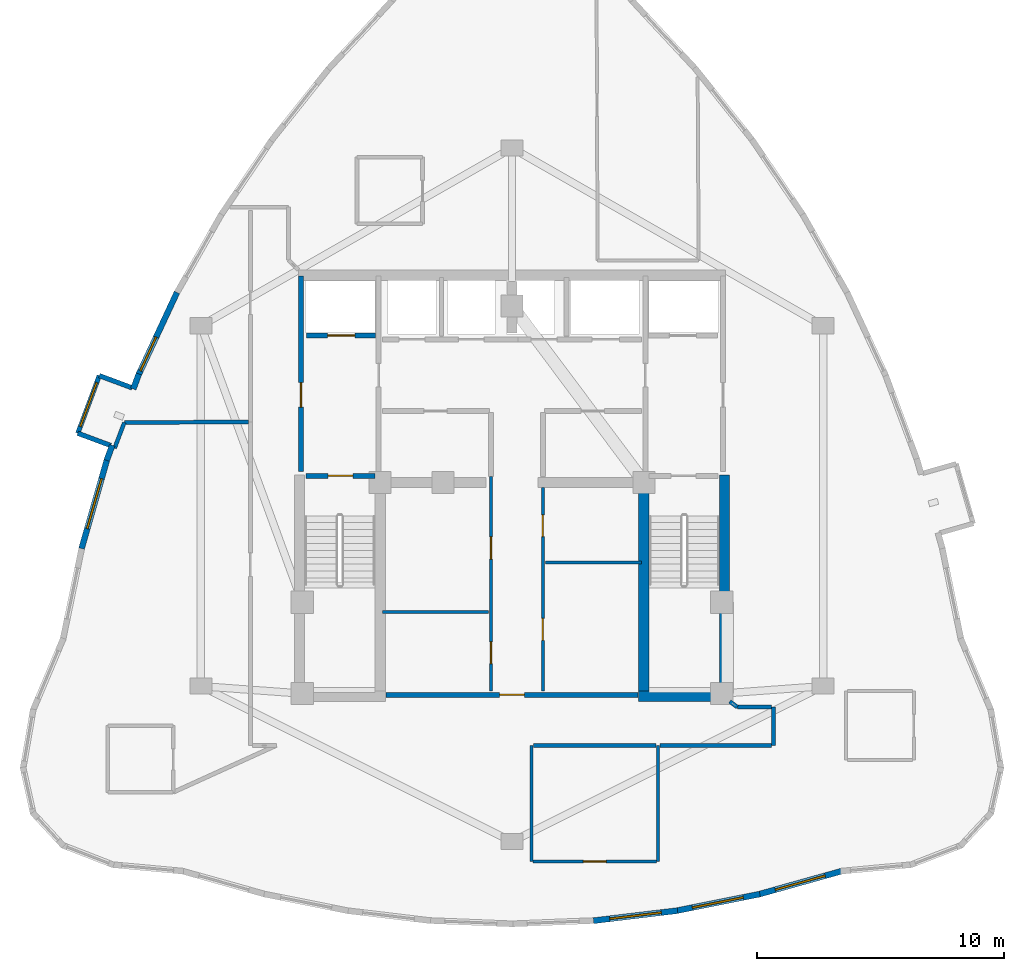
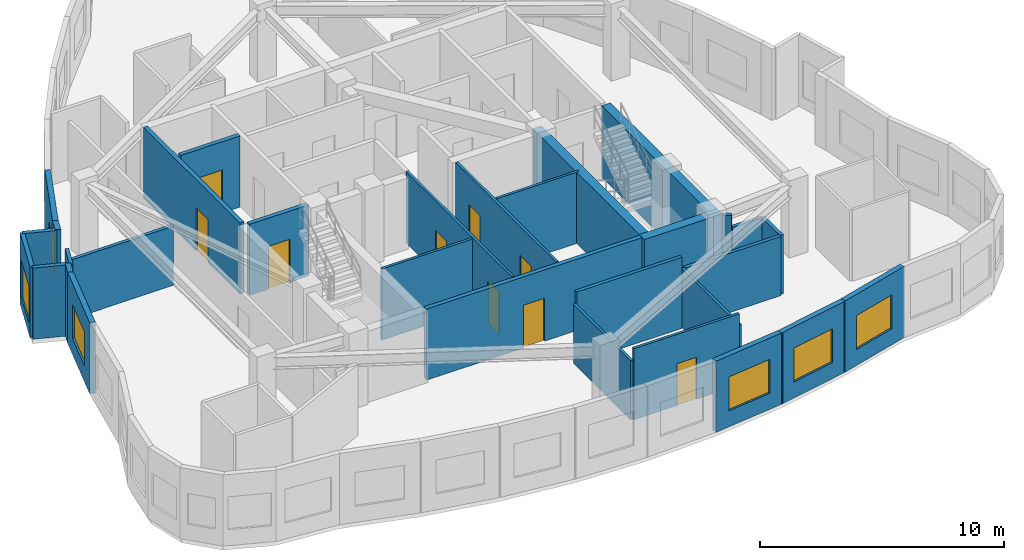
# One storey, part 5 of 9: 31 walls, 9 doors, 6 windows, 15 openings.
"""IFC4 building model written with IfcOpenShell, lengths in metres."""

from ifc_helpers import new_model, si_unit, direction, frame, frame_2d, origin, place, context, subcontext, project, spatial, rectangle, extrude, material, layer, layer_set, type_object, element, fill, save


model = new_model("IFC4")

# Units and contexts
model_context = context("Model", 3, precision=1e-05, world=origin(), true_north=direction((0.0, 1.0)))
body_context = subcontext(model_context, "Body", "Model", "MODEL_VIEW")
ifc_project = project(units=[si_unit("LENGTHUNIT", "METRE"), si_unit("AREAUNIT", "SQUARE_METRE"), si_unit("VOLUMEUNIT", "CUBIC_METRE"), si_unit("PLANEANGLEUNIT", "RADIAN"), si_unit("MASSUNIT", "GRAM", prefix="KILO")], contexts=[model_context])

# Site, building, storey
site_placement = place(None, origin())
site = spatial("IfcSite", under=ifc_project, at=site_placement, CompositionType="ELEMENT")
building_placement = place(site_placement, origin())
building = spatial("IfcBuilding", under=site, at=building_placement, Name="Miruveldt Soraemaru", CompositionType="ELEMENT")
storey_placement = place(building_placement, frame((0.0, 0.0, 263.550048828125)))
storey = spatial("IfcBuildingStorey", under=building, at=storey_placement, Name="L72", CompositionType="ELEMENT", Elevation=263.550048828125)

# Walls
ifc_material_1 = material(Name="White powder-coated aluminium EN AW-6060 T6", Category="aluminium")
ifc_layer_1 = layer(ifc_material_1, 0.18994140625, Name="White powder-coated aluminium EN AW-6060 T6", Category="aluminium")
ifc_layer_set_1 = layer_set([ifc_layer_1], Name="White powder-coated aluminium EN AW-6060 T6")
wall_type_1 = type_object("IfcWallType", Name="WALL-BAY-ALU190", PredefinedType="SOLIDWALL", material=ifc_layer_set_1)
for number, where, z_axis, x_axis, name in (
    (1, (28.61669921875, 47.8828125, 0.0), (0.0, 0.0, 1.0), (-0.937129361406, 0.348982177182, 0.0), "L72 Bay Window Side Cheek 1L"),
    (2, (26.410888671875, 46.0439453125, 0.0), (0.0, 0.0, 1.0), (0.937129361406, -0.348982177182, 0.0), "L72 Bay Window Side Cheek 1R"),
):
    element("IfcWall", number, at=place(storey_placement, frame(where, z_axis=z_axis, x_axis=x_axis)), inside=storey, type_object=wall_type_1, Name=name, PredefinedType="SOLIDWALL", context=body_context, shape_type="SweptSolid", body=[
        extrude(rectangle(XDim=1.425048828125, YDim=0.18994140625, at=frame_2d((0.71240234375, 0.0))), origin(), (0.0, 0.0, 1.0), 3.56494140625),
    ])

# Wall, opening, window
wall_1_placement = place(storey_placement, frame((27.28125, 48.380126953125, 0.0), z_axis=(0.0, 0.0, 1.0), x_axis=(-0.349115767746, -0.937079602121, 0.0)))
wall_1 = element("IfcWall", 3, at=wall_1_placement, inside=storey, type_object=wall_type_1, Name="L72 Bay Window Front Frame 1", PredefinedType="SOLIDWALL", context=body_context, shape_type="SweptSolid", body=[
    extrude(rectangle(XDim=2.4931640625, YDim=0.18994140625, at=frame_2d((1.24658203125, 0.0))), origin(), (0.0, 0.0, 1.0), 3.56494140625),
])
opening_1_placement = place(wall_1_placement, frame((0.297119140625, 0.0, 0.550048828125)))
opening_1 = element("IfcOpeningElement", 4, at=opening_1_placement, cuts=wall_1, Name="Opening WN-6", PredefinedType="OPENING", context=body_context, shape_type="SweptSolid", body=[
    extrude(rectangle(XDim=1.89990234375, YDim=1.85009765625, at=frame_2d((0.949951171875, 0.925048828125))), frame((0.0, 0.10498046875, 0.0), z_axis=(0.0, -1.0, 0.0), x_axis=(1.0, 0.0, 0.0)), (0.0, 0.0, 1.0), 0.2099609375),
])
ifc_material_2 = material(Name="Triple low-e insulated glazing", Category="glass")
window_type_1 = type_object("IfcWindowType", Name="WIN-BAYW-1900x1850", PartitioningType="SINGLE_PANEL", PredefinedType="WINDOW", material=ifc_material_2)
window_1_placement = place(opening_1_placement, origin())
window_1 = element("IfcWindow", 5, at=window_1_placement, inside=storey, type_object=window_type_1, Name="L72 Projecting Bay Window 1", OverallHeight=1.85009765625, OverallWidth=1.89990234375, PartitioningType="SINGLE_PANEL", PredefinedType="WINDOW", context=body_context, shape_type="SweptSolid", body=[
    extrude(rectangle(XDim=1.89990234375, YDim=1.85009765625, at=frame_2d((0.949951171875, 0.925048828125))), frame((0.0, 0.030029296875, 0.0), z_axis=(0.0, -1.0, 0.0), x_axis=(1.0, 0.0, 0.0)), (0.0, 0.0, 1.0), 0.06005859375),
])
fill(opening_1, window_1)

# Walls
ifc_material_3 = material(Name="Concrete C50/60 (50 MPa)", Category="concrete")
ifc_layer_2 = layer(ifc_material_3, 0.419921875, Name="Concrete C50/60 (50 MPa)", Category="concrete")
ifc_layer_set_2 = layer_set([ifc_layer_2], Name="Concrete C50/60 (50 MPa)")
wall_type_2 = type_object("IfcWallType", Name="WALL-CW-420", PredefinedType="SHEAR", material=ifc_layer_set_2)
wall_2_placement = place(storey_placement, frame((49.1298828125, 35.389892578125, 0.0), z_axis=(0.0, 0.0, 1.0), x_axis=(1.0, 0.0, 0.0)))
element("IfcWall", 6, at=wall_2_placement, inside=storey, type_object=wall_type_2, Name="L72 Central Core Shear Wall S2", PredefinedType="SHEAR", context=body_context, shape_type="SweptSolid", body=[
    extrude(rectangle(XDim=3.690185546875, YDim=0.419921875, at=frame_2d((1.84521484375, 0.0))), origin(), (0.0, 0.0, 1.0), 3.56494140625),
])
wall_3_placement = place(storey_placement, frame((52.610107421875, 35.179931640625, 0.0), z_axis=(0.0, 0.0, 1.0), x_axis=(0.0, 1.0, 0.0)))
element("IfcWall", 7, at=wall_3_placement, inside=storey, type_object=wall_type_2, Name="L72 Central Core Shear Wall E1", PredefinedType="SHEAR", context=body_context, shape_type="SweptSolid", body=[
    extrude(rectangle(XDim=9.170166015625, YDim=0.419921875, at=frame_2d((4.5849609375, 0.0))), origin(), (0.0, 0.0, 1.0), 3.56494140625),
])
wall_4_placement = place(storey_placement, frame((49.340087890625, 35.39990234375, 0.0), z_axis=(0.0, 0.0, 1.0), x_axis=(0.0, 1.0, 0.0)))
element("IfcWall", 8, at=wall_4_placement, inside=storey, type_object=wall_type_2, Name="L72 Central Core Shear Wall SE-INT", PredefinedType="SHEAR", context=body_context, shape_type="SweptSolid", body=[
    extrude(rectangle(XDim=8.9501953125, YDim=0.419921875, at=frame_2d((4.47509765625, 0.0))), origin(), (0.0, 0.0, 1.0), 3.56494140625),
])

# Wall, opening, window
ifc_material_4 = material(Name="Precast concrete C45/55 (45 MPa)", Category="concrete")
ifc_layer_3 = layer(ifc_material_4, 0.239990234375, Name="Precast concrete C45/55 (45 MPa)", Category="concrete")
ifc_layer_set_3 = layer_set([ifc_layer_3], Name="Precast concrete C45/55 (45 MPa)")
wall_type_3 = type_object("IfcWallType", Name="WALL-EXT-PC240", PredefinedType="SOLIDWALL", material=ifc_layer_set_3)
wall_5_placement = place(storey_placement, frame((30.426025390625, 51.7470703125, 0.0), z_axis=(0.0, 0.0, 1.0), x_axis=(-0.422345429955, -0.906434960599, 0.0)))
wall_5 = element("IfcWall", 9, at=wall_5_placement, inside=storey, type_object=wall_type_3, Name="L72 Precast Concrete Facade Wall 11", PredefinedType="SOLIDWALL", context=body_context, shape_type="SweptSolid", body=[
    extrude(rectangle(XDim=3.712890625, YDim=0.239990234375, at=frame_2d((1.8564453125, 0.0))), origin(), (0.0, 0.0, 1.0), 3.56494140625),
])
opening_2_placement = place(wall_5_placement, frame((1.9970703125, 0.0, 0.800048828125)))
opening_2 = element("IfcOpeningElement", 10, at=opening_2_placement, cuts=wall_5, Name="Opening WN-3", PredefinedType="OPENING", context=body_context, shape_type="SweptSolid", body=[
    extrude(rectangle(XDim=1.5, YDim=1.60009765625, at=frame_2d((0.75, 0.800048828125))), frame((0.0, 0.1298828125, 0.0), z_axis=(0.0, -1.0, 0.0), x_axis=(1.0, 0.0, 0.0)), (0.0, 0.0, 1.0), 0.260009765625),
])
window_type_2 = type_object("IfcWindowType", Name="WIN-PUNCH-1500x1600", PartitioningType="SINGLE_PANEL", PredefinedType="WINDOW", material=ifc_material_2)
window_2_placement = place(opening_2_placement, origin())
window_2 = element("IfcWindow", 11, at=window_2_placement, inside=storey, type_object=window_type_2, Name="L72 Punched Triple-Glazed Window 11.1", OverallHeight=1.60009765625, OverallWidth=1.5, PartitioningType="SINGLE_PANEL", PredefinedType="WINDOW", context=body_context, shape_type="SweptSolid", body=[
    extrude(rectangle(XDim=1.5, YDim=1.60009765625, at=frame_2d((0.75, 0.800048828125))), frame((0.0, 0.030029296875, 0.0), z_axis=(0.0, -1.0, 0.0), x_axis=(1.0, 0.0, 0.0)), (0.0, 0.0, 1.0), 0.06005859375),
])
fill(opening_2, window_2)

# Walls
for number, where, z_axis, x_axis, name in (
    (12, (28.885009765625, 48.446044921875, 0.0), (0.0, 0.0, 1.0), (-0.348863836898, -0.937173422214, 0.0), "L72 Precast Pier Wall 12A"),
    (13, (27.808349609375, 45.555419921875, 0.0), (0.0, 0.0, 1.0), (-0.348863836898, -0.937173422214, 0.0), "L72 Precast Pier Wall 12B"),
):
    element("IfcWall", number, at=place(storey_placement, frame(where, z_axis=z_axis, x_axis=x_axis)), inside=storey, type_object=wall_type_3, Name=name, PredefinedType="SOLIDWALL", context=body_context, shape_type="SweptSolid", body=[
        extrude(rectangle(XDim=0.651611328125, YDim=0.239990234375, at=frame_2d((0.32568359375, 0.0))), origin(), (0.0, 0.0, 1.0), 3.56494140625),
    ])

# Wall, opening, window
wall_6_placement = place(storey_placement, frame((27.602783203125, 45.011474609375, 0.0), z_axis=(0.0, 0.0, 1.0), x_axis=(-0.274917207147, -0.961467903372, 0.0)))
wall_6 = element("IfcWall", 14, at=wall_6_placement, inside=storey, type_object=wall_type_3, Name="L72 Precast Concrete Facade Wall 13", PredefinedType="SOLIDWALL", context=body_context, shape_type="SweptSolid", body=[
    extrude(rectangle(XDim=3.7822265625, YDim=0.239990234375, at=frame_2d((1.89111328125, 0.0))), origin(), (0.0, 0.0, 1.0), 3.56494140625),
])
opening_3_placement = place(wall_6_placement, frame((0.841064453125, 0.0, 0.800048828125)))
opening_3 = element("IfcOpeningElement", 15, at=opening_3_placement, cuts=wall_6, Name="Opening WN-1", PredefinedType="OPENING", context=body_context, shape_type="SweptSolid", body=[
    extrude(rectangle(XDim=2.10009765625, YDim=1.699951171875, at=frame_2d((1.050048828125, 0.85009765625))), frame((0.0, 0.1298828125, 0.0), z_axis=(0.0, -1.0, 0.0), x_axis=(1.0, 0.0, 0.0)), (0.0, 0.0, 1.0), 0.260009765625),
])
window_type_3 = type_object("IfcWindowType", Name="WIN-PUNCH-2100x1700", PartitioningType="SINGLE_PANEL", PredefinedType="WINDOW", material=ifc_material_2)
window_3_placement = place(opening_3_placement, origin())
window_3 = element("IfcWindow", 16, at=window_3_placement, inside=storey, type_object=window_type_3, Name="L72 Punched Triple-Glazed Window 13.1", OverallHeight=1.699951171875, OverallWidth=2.10009765625, PartitioningType="SINGLE_PANEL", PredefinedType="WINDOW", context=body_context, shape_type="SweptSolid", body=[
    extrude(rectangle(XDim=2.10009765625, YDim=1.699951171875, at=frame_2d((1.050048828125, 0.85009765625))), frame((0.0, 0.030029296875, 0.0), z_axis=(0.0, -1.0, 0.0), x_axis=(1.0, 0.0, 0.0)), (0.0, 0.0, 1.0), 0.06005859375),
])
fill(opening_3, window_3)

wall_7_placement = place(storey_placement, frame((47.30078125, 26.29833984375, 0.0), z_axis=(0.0, 0.0, 1.0), x_axis=(0.992874817346, 0.119162062248, 0.0)))
wall_7 = element("IfcWall", 17, at=wall_7_placement, inside=storey, type_object=wall_type_3, Name="L72 Precast Concrete Facade Wall 26", PredefinedType="SOLIDWALL", context=body_context, shape_type="SweptSolid", body=[
    extrude(rectangle(XDim=3.4296875, YDim=0.239990234375, at=frame_2d((1.71484375, 0.0))), origin(), (0.0, 0.0, 1.0), 3.56494140625),
])
opening_4_placement = place(wall_7_placement, frame((0.6650390625, 0.0, 0.800048828125)))
opening_4 = element("IfcOpeningElement", 18, at=opening_4_placement, cuts=wall_7, Name="Opening WN-1", PredefinedType="OPENING", context=body_context, shape_type="SweptSolid", body=[
    extrude(rectangle(XDim=2.10009765625, YDim=1.699951171875, at=frame_2d((1.050048828125, 0.85009765625))), frame((0.0, 0.1298828125, 0.0), z_axis=(0.0, -1.0, 0.0), x_axis=(1.0, 0.0, 0.0)), (0.0, 0.0, 1.0), 0.260009765625),
])
window_4_placement = place(opening_4_placement, origin())
window_4 = element("IfcWindow", 19, at=window_4_placement, inside=storey, type_object=window_type_3, Name="L72 Punched Triple-Glazed Window 26.1", OverallHeight=1.699951171875, OverallWidth=2.10009765625, PartitioningType="SINGLE_PANEL", PredefinedType="WINDOW", context=body_context, shape_type="SweptSolid", body=[
    extrude(rectangle(XDim=2.10009765625, YDim=1.699951171875, at=frame_2d((1.050048828125, 0.85009765625))), frame((0.0, 0.030029296875, 0.0), z_axis=(0.0, -1.0, 0.0), x_axis=(1.0, 0.0, 0.0)), (0.0, 0.0, 1.0), 0.06005859375),
])
fill(opening_4, window_4)

wall_8_placement = place(storey_placement, frame((50.636962890625, 26.696044921875, 0.0), z_axis=(0.0, 0.0, 1.0), x_axis=(0.980577970883, 0.196129658691, 0.0)))
wall_8 = element("IfcWall", 20, at=wall_8_placement, inside=storey, type_object=wall_type_3, Name="L72 Precast Concrete Facade Wall 27", PredefinedType="SOLIDWALL", context=body_context, shape_type="SweptSolid", body=[
    extrude(rectangle(XDim=3.4716796875, YDim=0.239990234375, at=frame_2d((1.73583984375, 0.0))), origin(), (0.0, 0.0, 1.0), 3.56494140625),
])
opening_5_placement = place(wall_8_placement, frame((0.68603515625, 0.0, 0.800048828125)))
opening_5 = element("IfcOpeningElement", 21, at=opening_5_placement, cuts=wall_8, Name="Opening WN-1", PredefinedType="OPENING", context=body_context, shape_type="SweptSolid", body=[
    extrude(rectangle(XDim=2.10009765625, YDim=1.699951171875, at=frame_2d((1.050048828125, 0.85009765625))), frame((0.0, 0.1298828125, 0.0), z_axis=(0.0, -1.0, 0.0), x_axis=(1.0, 0.0, 0.0)), (0.0, 0.0, 1.0), 0.260009765625),
])
window_5_placement = place(opening_5_placement, origin())
window_5 = element("IfcWindow", 22, at=window_5_placement, inside=storey, type_object=window_type_3, Name="L72 Punched Triple-Glazed Window 27.1", OverallHeight=1.699951171875, OverallWidth=2.10009765625, PartitioningType="SINGLE_PANEL", PredefinedType="WINDOW", context=body_context, shape_type="SweptSolid", body=[
    extrude(rectangle(XDim=2.10009765625, YDim=1.699951171875, at=frame_2d((1.050048828125, 0.85009765625))), frame((0.0, 0.030029296875, 0.0), z_axis=(0.0, -1.0, 0.0), x_axis=(1.0, 0.0, 0.0)), (0.0, 0.0, 1.0), 0.06005859375),
])
fill(opening_5, window_5)

wall_9_placement = place(storey_placement, frame((53.973388671875, 27.360595703125, 0.0), z_axis=(0.0, 0.0, 1.0), x_axis=(0.962957561597, 0.26965298916, 0.0)))
wall_9 = element("IfcWall", 23, at=wall_9_placement, inside=storey, type_object=wall_type_3, Name="L72 Precast Concrete Facade Wall 28", PredefinedType="SOLIDWALL", context=body_context, shape_type="SweptSolid", body=[
    extrude(rectangle(XDim=3.53369140625, YDim=0.239990234375, at=frame_2d((1.766845703125, 0.0))), origin(), (0.0, 0.0, 1.0), 3.56494140625),
])
opening_6_placement = place(wall_9_placement, frame((0.717041015625, 0.0, 0.800048828125)))
opening_6 = element("IfcOpeningElement", 24, at=opening_6_placement, cuts=wall_9, Name="Opening WN-1", PredefinedType="OPENING", context=body_context, shape_type="SweptSolid", body=[
    extrude(rectangle(XDim=2.10009765625, YDim=1.699951171875, at=frame_2d((1.050048828125, 0.85009765625))), frame((0.0, 0.1298828125, 0.0), z_axis=(0.0, -1.0, 0.0), x_axis=(1.0, 0.0, 0.0)), (0.0, 0.0, 1.0), 0.260009765625),
])
window_6_placement = place(opening_6_placement, origin())
window_6 = element("IfcWindow", 25, at=window_6_placement, inside=storey, type_object=window_type_3, Name="L72 Punched Triple-Glazed Window 28.1", OverallHeight=1.699951171875, OverallWidth=2.10009765625, PartitioningType="SINGLE_PANEL", PredefinedType="WINDOW", context=body_context, shape_type="SweptSolid", body=[
    extrude(rectangle(XDim=2.10009765625, YDim=1.699951171875, at=frame_2d((1.050048828125, 0.85009765625))), frame((0.0, 0.030029296875, 0.0), z_axis=(0.0, -1.0, 0.0), x_axis=(1.0, 0.0, 0.0)), (0.0, 0.0, 1.0), 0.06005859375),
])
fill(opening_6, window_6)

# Wall, openings, doors
ifc_material_5 = material(Name="Gypsum plasterboard lining", Category="gypsum")
ifc_layer_4 = layer(ifc_material_5, 0.1201171875, Name="Gypsum plasterboard lining", Category="gypsum")
ifc_layer_set_4 = layer_set([ifc_layer_4], Name="Gypsum plasterboard lining")
wall_type_4 = type_object("IfcWallType", Name="WALL-INT-P120", PredefinedType="PARTITIONING", material=ifc_layer_set_4)
wall_10_placement = place(storey_placement, frame((43.14990234375, 35.60009765625, 0.0), z_axis=(0.0, 0.0, 1.0), x_axis=(0.0, 1.0, 0.0)))
wall_10 = element("IfcWall", 26, at=wall_10_placement, inside=storey, type_object=wall_type_4, Name="L72 Core Compartment Wall SP-WL", PredefinedType="PARTITIONING", context=body_context, shape_type="SweptSolid", body=[
    extrude(rectangle(XDim=8.699951171875, YDim=0.1201171875, at=frame_2d((4.35009765625, 0.0))), origin(), (0.0, 0.0, 1.0), 3.56494140625),
])
opening_7_placement = place(wall_10_placement, frame((1.110107421875, 0.0, 0.0)))
opening_7 = element("IfcOpeningElement", 27, at=opening_7_placement, cuts=wall_10, Name="Opening D4", PredefinedType="OPENING", context=body_context, shape_type="SweptSolid", body=[
    extrude(rectangle(XDim=0.8798828125, YDim=2.10009765625, at=frame_2d((0.43994140625, 1.050048828125))), frame((0.0, 0.070068359375, 0.0), z_axis=(0.0, -1.0, 0.0), x_axis=(1.0, 0.0, 0.0)), (0.0, 0.0, 1.0), 0.14013671875),
])
opening_8_placement = place(wall_10_placement, frame((5.35009765625, 0.0, 0.0)))
opening_8 = element("IfcOpeningElement", 28, at=opening_8_placement, cuts=wall_10, Name="Opening D3", PredefinedType="OPENING", context=body_context, shape_type="SweptSolid", body=[
    extrude(rectangle(XDim=0.89990234375, YDim=2.10009765625, at=frame_2d((0.449951171875, 1.050048828125))), frame((0.0, 0.070068359375, 0.0), z_axis=(0.0, -1.0, 0.0), x_axis=(1.0, 0.0, 0.0)), (0.0, 0.0, 1.0), 0.14013671875),
])
ifc_material_6 = material(Name="Anodised aluminium EN AW-6063 T6", Category="aluminium")
door_type_1 = type_object("IfcDoorType", Name="DOOR-INT-880", OperationType="NOTDEFINED", PredefinedType="DOOR", material=ifc_material_6)
door_1_placement = place(opening_7_placement, origin())
door_1 = element("IfcDoor", 29, at=door_1_placement, inside=storey, type_object=door_type_1, Name="L72 Fire Door", OperationType="SINGLE_SWING_LEFT", OverallHeight=2.10009765625, OverallWidth=0.8798828125, PredefinedType="DOOR", context=body_context, shape_type="SweptSolid", body=[
    extrude(rectangle(XDim=0.8798828125, YDim=2.10009765625, at=frame_2d((0.43994140625, 1.050048828125))), frame((0.0, 0.02490234375, 0.0), z_axis=(0.0, -1.0, 0.0), x_axis=(1.0, 0.0, 0.0)), (0.0, 0.0, 1.0), 0.050048828125),
])
fill(opening_7, door_1)
door_type_2 = type_object("IfcDoorType", Name="DOOR-INT-900", OperationType="NOTDEFINED", PredefinedType="DOOR", material=ifc_material_6)
door_2_placement = place(opening_8_placement, origin())
door_2 = element("IfcDoor", 30, at=door_2_placement, inside=storey, type_object=door_type_2, Name="L72 Fire Door", OperationType="SINGLE_SWING_LEFT", OverallHeight=2.10009765625, OverallWidth=0.89990234375, PredefinedType="DOOR", context=body_context, shape_type="SweptSolid", body=[
    extrude(rectangle(XDim=0.89990234375, YDim=2.10009765625, at=frame_2d((0.449951171875, 1.050048828125))), frame((0.0, 0.02490234375, 0.0), z_axis=(0.0, -1.0, 0.0), x_axis=(1.0, 0.0, 0.0)), (0.0, 0.0, 1.0), 0.050048828125),
])
fill(opening_8, door_2)

wall_11_placement = place(storey_placement, frame((45.25, 35.60009765625, 0.0), z_axis=(0.0, 0.0, 1.0), x_axis=(0.0, 1.0, 0.0)))
wall_11 = element("IfcWall", 31, at=wall_11_placement, inside=storey, type_object=wall_type_4, Name="L72 Core Compartment Wall SP-EL", PredefinedType="PARTITIONING", context=body_context, shape_type="SweptSolid", body=[
    extrude(rectangle(XDim=8.25, YDim=0.1201171875, at=frame_2d((4.125, 0.0))), origin(), (0.0, 0.0, 1.0), 3.56494140625),
])
opening_9_placement = place(wall_11_placement, frame((2.050048828125, 0.0, 0.0)))
opening_9 = element("IfcOpeningElement", 32, at=opening_9_placement, cuts=wall_11, Name="Opening D3", PredefinedType="OPENING", context=body_context, shape_type="SweptSolid", body=[
    extrude(rectangle(XDim=0.89990234375, YDim=2.10009765625, at=frame_2d((0.449951171875, 1.050048828125))), frame((0.0, 0.070068359375, 0.0), z_axis=(0.0, -1.0, 0.0), x_axis=(1.0, 0.0, 0.0)), (0.0, 0.0, 1.0), 0.14013671875),
])
opening_10_placement = place(wall_11_placement, frame((6.260009765625, 0.0, 0.0)))
opening_10 = element("IfcOpeningElement", 33, at=opening_10_placement, cuts=wall_11, Name="Opening D4", PredefinedType="OPENING", context=body_context, shape_type="SweptSolid", body=[
    extrude(rectangle(XDim=0.8798828125, YDim=2.10009765625, at=frame_2d((0.43994140625, 1.050048828125))), frame((0.0, 0.070068359375, 0.0), z_axis=(0.0, -1.0, 0.0), x_axis=(1.0, 0.0, 0.0)), (0.0, 0.0, 1.0), 0.14013671875),
])
door_3_placement = place(opening_10_placement, origin())
door_3 = element("IfcDoor", 34, at=door_3_placement, inside=storey, type_object=door_type_1, Name="L72 Fire Door", OperationType="SINGLE_SWING_LEFT", OverallHeight=2.10009765625, OverallWidth=0.8798828125, PredefinedType="DOOR", context=body_context, shape_type="SweptSolid", body=[
    extrude(rectangle(XDim=0.8798828125, YDim=2.10009765625, at=frame_2d((0.43994140625, 1.050048828125))), frame((0.0, 0.02490234375, 0.0), z_axis=(0.0, -1.0, 0.0), x_axis=(1.0, 0.0, 0.0)), (0.0, 0.0, 1.0), 0.050048828125),
])
fill(opening_10, door_3)
door_4_placement = place(opening_9_placement, origin())
door_4 = element("IfcDoor", 35, at=door_4_placement, inside=storey, type_object=door_type_2, Name="L72 Fire Door", OperationType="SINGLE_SWING_LEFT", OverallHeight=2.10009765625, OverallWidth=0.89990234375, PredefinedType="DOOR", context=body_context, shape_type="SweptSolid", body=[
    extrude(rectangle(XDim=0.89990234375, YDim=2.10009765625, at=frame_2d((0.449951171875, 1.050048828125))), frame((0.0, 0.02490234375, 0.0), z_axis=(0.0, -1.0, 0.0), x_axis=(1.0, 0.0, 0.0)), (0.0, 0.0, 1.0), 0.050048828125),
])
fill(opening_9, door_4)

# Wall, opening, door
wall_12_placement = place(storey_placement, frame((49.85693359375, 28.698974609375, 0.0), z_axis=(0.0, 0.0, 1.0), x_axis=(-1.0, 0.0, 0.0)))
wall_12 = element("IfcWall", 36, at=wall_12_placement, inside=storey, type_object=wall_type_4, Name="L72 Partition Wall 26", PredefinedType="PARTITIONING", context=body_context, shape_type="SweptSolid", body=[
    extrude(rectangle(XDim=5.0078125, YDim=0.1201171875, at=frame_2d((2.50390625, 0.0))), origin(), (0.0, 0.0, 1.0), 3.56494140625),
])
opening_11_placement = place(wall_12_placement, frame((2.0439453125, 0.0, 0.0)))
opening_11 = element("IfcOpeningElement", 37, at=opening_11_placement, cuts=wall_12, Name="Opening D3A", PredefinedType="OPENING", context=body_context, shape_type="SweptSolid", body=[
    extrude(rectangle(XDim=0.919921875, YDim=2.10009765625, at=frame_2d((0.4599609375, 1.050048828125))), frame((0.0, 0.070068359375, 0.0), z_axis=(0.0, -1.0, 0.0), x_axis=(1.0, 0.0, 0.0)), (0.0, 0.0, 1.0), 0.14013671875),
])
door_type_3 = type_object("IfcDoorType", Name="DOOR-INT-920", OperationType="NOTDEFINED", PredefinedType="DOOR", material=ifc_material_6)
door_5_placement = place(opening_11_placement, origin())
door_5 = element("IfcDoor", 38, at=door_5_placement, inside=storey, type_object=door_type_3, Name="L72 Unit CL02 EXT Door", OperationType="SINGLE_SWING_LEFT", OverallHeight=2.10009765625, OverallWidth=0.919921875, PredefinedType="DOOR", context=body_context, shape_type="SweptSolid", body=[
    extrude(rectangle(XDim=0.919921875, YDim=2.10009765625, at=frame_2d((0.4599609375, 1.050048828125))), frame((0.0, 0.02490234375, 0.0), z_axis=(0.0, -1.0, 0.0), x_axis=(1.0, 0.0, 0.0)), (0.0, 0.0, 1.0), 0.050048828125),
])
fill(opening_11, door_5)

# Walls
for number, where, z_axis, x_axis, name in (
    (39, (49.9169921875, 33.39990234375, 0.0), (0.0, 0.0, 1.0), (0.0, -1.0, 0.0), "L72 Partition Wall 25"),
    (40, (44.7890625, 28.698974609375, 0.0), (0.0, 0.0, 1.0), (0.0, 1.0, 0.0), "L72 Partition Wall 29"),
):
    element("IfcWall", number, at=place(storey_placement, frame(where, z_axis=z_axis, x_axis=x_axis)), inside=storey, type_object=wall_type_4, Name=name, PredefinedType="PARTITIONING", context=body_context, shape_type="SweptSolid", body=[
        extrude(rectangle(XDim=4.700927734375, YDim=0.1201171875, at=frame_2d((2.3505859375, 0.0))), origin(), (0.0, 0.0, 1.0), 2.96484375),
    ])
wall_13_placement = place(storey_placement, frame((38.75, 38.800048828125, 0.0), z_axis=(0.0, 0.0, 1.0), x_axis=(1.0, 0.0, 0.0)))
element("IfcWall", 41, at=wall_13_placement, inside=storey, type_object=wall_type_4, Name="L72 Core Compartment Wall RL-W2H", PredefinedType="PARTITIONING", context=body_context, shape_type="SweptSolid", body=[
    extrude(rectangle(XDim=4.300048828125, YDim=0.1201171875, at=frame_2d((2.14990234375, 0.0))), origin(), (0.0, 0.0, 1.0), 3.56494140625),
])
wall_14_placement = place(storey_placement, frame((45.35009765625, 40.800048828125, 0.0), z_axis=(0.0, 0.0, 1.0), x_axis=(1.0, 0.0, 0.0)))
element("IfcWall", 42, at=wall_14_placement, inside=storey, type_object=wall_type_4, Name="L72 Core Compartment Wall RL-E2H", PredefinedType="PARTITIONING", context=body_context, shape_type="SweptSolid", body=[
    extrude(rectangle(XDim=3.89990234375, YDim=0.1201171875, at=frame_2d((1.949951171875, 0.0))), origin(), (0.0, 0.0, 1.0), 3.56494140625),
])
ifc_material_7 = material(Name="Concrete C40/50 (40 MPa)", Category="concrete")
ifc_layer_5 = layer(ifc_material_7, 0.159912109375, Name="Concrete C40/50 (40 MPa)", Category="concrete")
ifc_layer_set_5 = layer_set([ifc_layer_5], Name="Concrete C40/50 (40 MPa)")
wall_type_5 = type_object("IfcWallType", Name="WALL-INT-RC160", PredefinedType="SOLIDWALL", material=ifc_layer_set_5)
wall_15_placement = place(storey_placement, frame((28.297119140625, 46.48095703125, 0.0), z_axis=(0.0, 0.0, 1.0), x_axis=(0.999992813506, 0.003791165522, 0.0)))
element("IfcWall", 43, at=wall_15_placement, inside=storey, type_object=wall_type_5, Name="L72 Partition Wall 16", PredefinedType="SOLIDWALL", context=body_context, shape_type="SweptSolid", body=[
    extrude(rectangle(XDim=5.02294921875, YDim=0.159912109375, at=frame_2d((2.511474609375, 0.0))), origin(), (0.0, 0.0, 1.0), 2.96484375),
])
wall_16_placement = place(storey_placement, frame((44.868896484375, 33.39990234375, 0.0), z_axis=(0.0, 0.0, 1.0), x_axis=(1.0, 0.0, 0.0)))
element("IfcWall", 44, at=wall_16_placement, inside=storey, type_object=wall_type_5, Name="L72 Partition Wall 10", PredefinedType="SOLIDWALL", context=body_context, shape_type="SweptSolid", body=[
    extrude(rectangle(XDim=4.968017578125, YDim=0.159912109375, at=frame_2d((2.48388671875, 0.0))), origin(), (0.0, 0.0, 1.0), 3.56494140625),
])
wall_17_placement = place(storey_placement, frame((49.9970703125, 33.39990234375, 0.0), z_axis=(0.0, 0.0, 1.0), x_axis=(1.0, 0.0, 0.0)))
element("IfcWall", 45, at=wall_17_placement, inside=storey, type_object=wall_type_5, Name="L72 Partition Wall 7", PredefinedType="SOLIDWALL", context=body_context, shape_type="SweptSolid", body=[
    extrude(rectangle(XDim=4.52294921875, YDim=0.159912109375, at=frame_2d((2.261474609375, 0.0))), origin(), (0.0, 0.0, 1.0), 2.96484375),
])
wall_18_placement = place(storey_placement, frame((54.60009765625, 33.39990234375, 0.0), z_axis=(0.0, 0.0, 1.0), x_axis=(0.0, 1.0, 0.0)))
element("IfcWall", 46, at=wall_18_placement, inside=storey, type_object=wall_type_5, Name="L72 Partition Wall 8", PredefinedType="SOLIDWALL", context=body_context, shape_type="SweptSolid", body=[
    extrude(rectangle(XDim=1.550048828125, YDim=0.159912109375, at=frame_2d((0.77490234375, 0.0))), origin(), (0.0, 0.0, 1.0), 2.96484375),
])
wall_19_placement = place(storey_placement, frame((54.52001953125, 34.949951171875, 0.0), z_axis=(0.0, 0.0, 1.0), x_axis=(-1.0, 0.0, 0.0)))
element("IfcWall", 47, at=wall_19_placement, inside=storey, type_object=wall_type_5, Name="L72 Partition Wall 9", PredefinedType="SOLIDWALL", context=body_context, shape_type="SweptSolid", body=[
    extrude(rectangle(XDim=1.39013671875, YDim=0.159912109375, at=frame_2d((0.695068359375, 0.0))), origin(), (0.0, 0.0, 1.0), 2.96484375),
])
wall_20_placement = place(storey_placement, frame((28.297119140625, 46.48095703125, 0.0), z_axis=(0.0, 0.0, 1.0), x_axis=(-0.354878058767, -0.934912596666, 0.0)))
element("IfcWall", 48, at=wall_20_placement, inside=storey, type_object=wall_type_5, Name="L72 Partition Closure Return 4", PredefinedType="SOLIDWALL", context=body_context, shape_type="SweptSolid", body=[
    extrude(rectangle(XDim=1.117919921875, YDim=0.159912109375, at=frame_2d((0.55908203125, 0.0))), origin(), (0.0, 0.0, 1.0), 3.56494140625),
])
wall_21_placement = place(storey_placement, frame((53.1298828125, 34.949951171875, 0.0), z_axis=(0.0, 0.0, 1.0), x_axis=(-0.802951496235, 0.596044373092, 0.0)))
element("IfcWall", 49, at=wall_21_placement, inside=storey, type_object=wall_type_5, Name="L72 Partition Closure Return 3", PredefinedType="SOLIDWALL", context=body_context, shape_type="SweptSolid", body=[
    extrude(rectangle(XDim=0.3857421875, YDim=0.159912109375, at=frame_2d((0.19287109375, 0.0))), origin(), (0.0, 0.0, 1.0), 3.56494140625),
])

# Wall, opening, door
ifc_layer_6 = layer(ifc_material_7, 0.199951171875, Name="Concrete C40/50 (40 MPa)", Category="concrete")
ifc_layer_set_6 = layer_set([ifc_layer_6], Name="Concrete C40/50 (40 MPa)")
wall_type_6 = type_object("IfcWallType", Name="WALL-INT-RC200", PredefinedType="SOLIDWALL", material=ifc_layer_set_6)
wall_22_placement = place(storey_placement, frame((38.89990234375, 35.449951171875, 0.0), z_axis=(0.0, 0.0, 1.0), x_axis=(1.0, 0.0, 0.0)))
wall_22 = element("IfcWall", 50, at=wall_22_placement, inside=storey, type_object=wall_type_6, Name="L72 Core Compartment Wall CS-S", PredefinedType="SOLIDWALL", context=body_context, shape_type="SweptSolid", body=[
    extrude(rectangle(XDim=10.2001953125, YDim=0.199951171875, at=frame_2d((5.10009765625, 0.0))), origin(), (0.0, 0.0, 1.0), 3.56494140625),
])
opening_12_placement = place(wall_22_placement, frame((4.60009765625, 0.0, 0.0)))
opening_12 = element("IfcOpeningElement", 51, at=opening_12_placement, cuts=wall_22, Name="Opening FD1", PredefinedType="OPENING", context=body_context, shape_type="SweptSolid", body=[
    extrude(rectangle(XDim=1.0, YDim=2.14990234375, at=frame_2d((0.5, 1.074951171875))), frame((0.0, 0.10986328125, 0.0), z_axis=(0.0, -1.0, 0.0), x_axis=(1.0, 0.0, 0.0)), (0.0, 0.0, 1.0), 0.219970703125),
])
door_type_4 = type_object("IfcDoorType", Name="DOOR-FD1-1000", OperationType="NOTDEFINED", PredefinedType="DOOR", material=ifc_material_6)
door_6_placement = place(opening_12_placement, origin())
door_6 = element("IfcDoor", 52, at=door_6_placement, inside=storey, type_object=door_type_4, Name="L72 Core South Lobby Fire Door", OperationType="SINGLE_SWING_LEFT", OverallHeight=2.14990234375, OverallWidth=1.0, PredefinedType="DOOR", context=body_context, shape_type="SweptSolid", body=[
    extrude(rectangle(XDim=1.0, YDim=2.14990234375, at=frame_2d((0.5, 1.074951171875))), frame((0.0, 0.02490234375, 0.0), z_axis=(0.0, -1.0, 0.0), x_axis=(1.0, 0.0, 0.0)), (0.0, 0.0, 1.0), 0.050048828125),
])
fill(opening_12, door_6)

wall_23_placement = place(storey_placement, frame((35.449951171875, 44.5, 0.0), z_axis=(0.0, 0.0, 1.0), x_axis=(0.0, 1.0, 0.0)))
wall_23 = element("IfcWall", 53, at=wall_23_placement, inside=storey, type_object=wall_type_6, Name="L72 Core Compartment Wall FFW-OUT", PredefinedType="SOLIDWALL", context=body_context, shape_type="SweptSolid", body=[
    extrude(rectangle(XDim=7.919921875, YDim=0.199951171875, at=frame_2d((3.9599609375, 0.0))), origin(), (0.0, 0.0, 1.0), 3.56494140625),
])
opening_13_placement = place(wall_23_placement, frame((2.60009765625, 0.0, 0.0)))
opening_13 = element("IfcOpeningElement", 54, at=opening_13_placement, cuts=wall_23, Name="Opening FD1", PredefinedType="OPENING", context=body_context, shape_type="SweptSolid", body=[
    extrude(rectangle(XDim=1.0, YDim=2.14990234375, at=frame_2d((0.5, 1.074951171875))), frame((0.0, 0.10986328125, 0.0), z_axis=(0.0, -1.0, 0.0), x_axis=(1.0, 0.0, 0.0)), (0.0, 0.0, 1.0), 0.219970703125),
])
door_7_placement = place(opening_13_placement, origin())
door_7 = element("IfcDoor", 55, at=door_7_placement, inside=storey, type_object=door_type_4, Name="L72 West Firefighting Lobby Exit Door", OperationType="SINGLE_SWING_LEFT", OverallHeight=2.14990234375, OverallWidth=1.0, PredefinedType="DOOR", context=body_context, shape_type="SweptSolid", body=[
    extrude(rectangle(XDim=1.0, YDim=2.14990234375, at=frame_2d((0.5, 1.074951171875))), frame((0.0, 0.02490234375, 0.0), z_axis=(0.0, -1.0, 0.0), x_axis=(1.0, 0.0, 0.0)), (0.0, 0.0, 1.0), 0.050048828125),
])
fill(opening_13, door_7)

wall_24_placement = place(storey_placement, frame((35.64990234375, 44.320068359375, 0.0), z_axis=(0.0, 0.0, 1.0), x_axis=(1.0, 0.0, 0.0)))
wall_24 = element("IfcWall", 56, at=wall_24_placement, inside=storey, type_object=wall_type_6, Name="L72 Core Compartment Wall ST1-N", PredefinedType="SOLIDWALL", context=body_context, shape_type="SweptSolid", body=[
    extrude(rectangle(XDim=2.800048828125, YDim=0.199951171875, at=frame_2d((1.39990234375, 0.0))), origin(), (0.0, 0.0, 1.0), 3.56494140625),
])
opening_14_placement = place(wall_24_placement, frame((0.89990234375, 0.0, 0.0)))
opening_14 = element("IfcOpeningElement", 57, at=opening_14_placement, cuts=wall_24, Name="Opening FD1", PredefinedType="OPENING", context=body_context, shape_type="SweptSolid", body=[
    extrude(rectangle(XDim=1.0, YDim=2.14990234375, at=frame_2d((0.5, 1.074951171875))), frame((0.0, 0.10986328125, 0.0), z_axis=(0.0, -1.0, 0.0), x_axis=(1.0, 0.0, 0.0)), (0.0, 0.0, 1.0), 0.219970703125),
])
door_8_placement = place(opening_14_placement, frame((1.0, 0.0, 0.0), z_axis=(0.0, 0.0, 1.0), x_axis=(-1.0, 0.0, 0.0)))
door_8 = element("IfcDoor", 58, at=door_8_placement, inside=storey, type_object=door_type_4, Name="L72 Stair ST-1 Fire Door", OperationType="SINGLE_SWING_LEFT", OverallHeight=2.14990234375, OverallWidth=1.0, PredefinedType="DOOR", context=body_context, shape_type="SweptSolid", body=[
    extrude(rectangle(XDim=1.0, YDim=2.14990234375, at=frame_2d((0.5, 1.074951171875))), frame((0.0, 0.02490234375, 0.0), z_axis=(0.0, -1.0, 0.0), x_axis=(1.0, 0.0, 0.0)), (0.0, 0.0, 1.0), 0.050048828125),
])
fill(opening_14, door_8)

wall_25_placement = place(storey_placement, frame((35.679931640625, 50.0, 0.0), z_axis=(0.0, 0.0, 1.0), x_axis=(1.0, 0.0, 0.0)))
wall_25 = element("IfcWall", 59, at=wall_25_placement, inside=storey, type_object=wall_type_6, Name="L72 Core Compartment Wall FFL1-S", PredefinedType="SOLIDWALL", context=body_context, shape_type="SweptSolid", body=[
    extrude(rectangle(XDim=2.800048828125, YDim=0.199951171875, at=frame_2d((1.39990234375, 0.0))), origin(), (0.0, 0.0, 1.0), 3.56494140625),
])
opening_15_placement = place(wall_25_placement, frame((0.85009765625, 0.0, 0.0)))
opening_15 = element("IfcOpeningElement", 60, at=opening_15_placement, cuts=wall_25, Name="Opening LD2", PredefinedType="OPENING", context=body_context, shape_type="SweptSolid", body=[
    extrude(rectangle(XDim=1.10009765625, YDim=2.14990234375, at=frame_2d((0.550048828125, 1.074951171875))), frame((0.0, 0.10986328125, 0.0), z_axis=(0.0, -1.0, 0.0), x_axis=(1.0, 0.0, 0.0)), (0.0, 0.0, 1.0), 0.219970703125),
])
door_type_5 = type_object("IfcDoorType", Name="DOOR-LD2-1100", OperationType="SLIDING_TO_LEFT", PredefinedType="DOOR", material=ifc_material_6)
door_9_placement = place(opening_15_placement, origin())
door_9 = element("IfcDoor", 61, at=door_9_placement, inside=storey, type_object=door_type_5, Name="L72 FFL-1 Landing Door", OperationType="SLIDING_TO_LEFT", OverallHeight=2.14990234375, OverallWidth=1.10009765625, PredefinedType="DOOR", context=body_context, shape_type="SweptSolid", body=[
    extrude(rectangle(XDim=1.10009765625, YDim=2.14990234375, at=frame_2d((0.550048828125, 1.074951171875))), frame((0.0, 0.02490234375, 0.0), z_axis=(0.0, -1.0, 0.0), x_axis=(1.0, 0.0, 0.0)), (0.0, 0.0, 1.0), 0.050048828125),
])
fill(opening_15, door_9)

save(model, "model.ifc")
